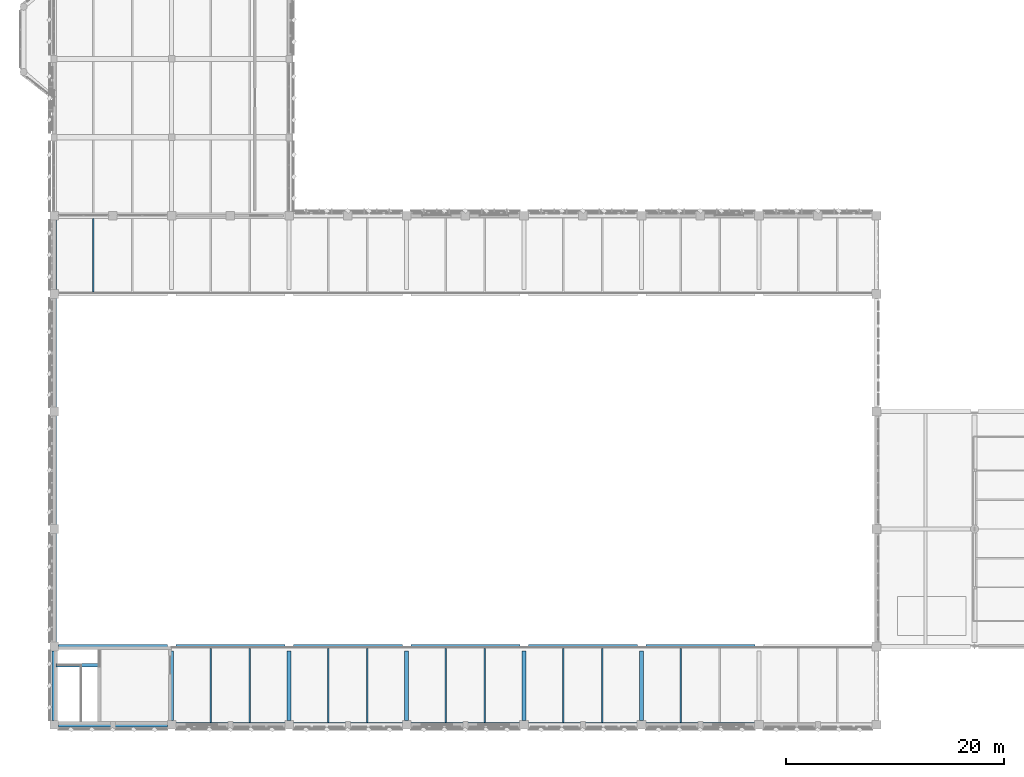
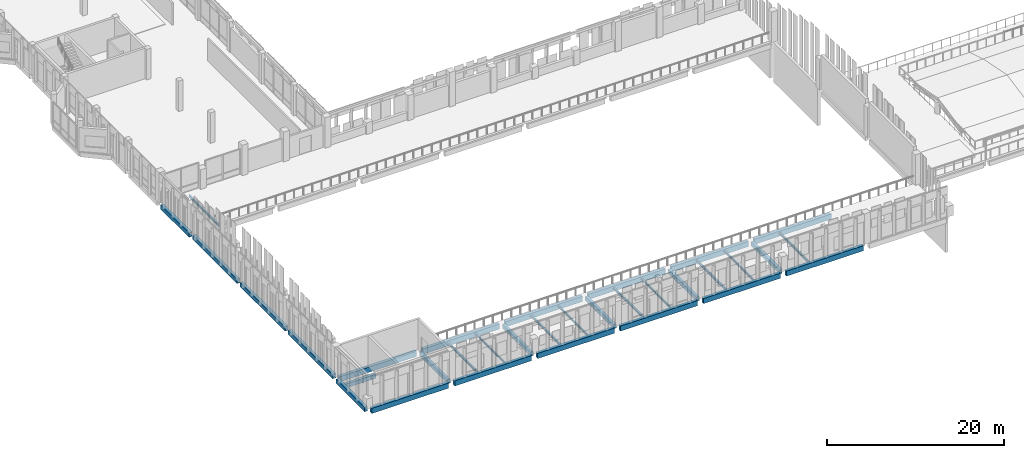
# One storey, part 6 of 158: 33 beams.
"""IFC4 building model written with IfcOpenShell, lengths in metres."""

from ifc_helpers import new_model, si_unit, direction, frame, origin, origin_2d, place, context, subcontext, project, spatial, rectangle, i_section, extrude, material, material_profile, profile_set, type_object, element, save


model = new_model("IFC4")

# Units and contexts
model_context = context("Model", 3, precision=1e-05, world=origin(), true_north=direction((0.0, 1.0)))
body_context = subcontext(model_context, "Body", "Model", "MODEL_VIEW")
ifc_project = project(units=[si_unit("LENGTHUNIT", "METRE"), si_unit("AREAUNIT", "SQUARE_METRE"), si_unit("VOLUMEUNIT", "CUBIC_METRE"), si_unit("PLANEANGLEUNIT", "RADIAN"), si_unit("MASSUNIT", "GRAM", prefix="KILO")], contexts=[model_context])

# Site, building, storey
site_placement = place(None, origin())
site = spatial("IfcSite", under=ifc_project, at=site_placement, CompositionType="ELEMENT")
building_placement = place(site_placement, origin())
building = spatial("IfcBuilding", under=site, at=building_placement, Name="Lusvemor Sports Hall", CompositionType="ELEMENT")
storey_placement = place(building_placement, frame((0.0, 0.0, 10.800048828125)))
storey = spatial("IfcBuildingStorey", under=building, at=storey_placement, Name="L02", CompositionType="ELEMENT", Elevation=10.800048828125)

# Beams
ifc_material_1 = material(Name="Concrete C40/50", Category="concrete")
ifc_material_profile_1 = material_profile(ifc_material_1, rectangle(XDim=0.35009765625, YDim=0.550048828125, at=origin_2d()), Name="RC350x550")
ifc_profile_set_1 = profile_set([ifc_material_profile_1], Name="Concrete C40/50")
beam_type_1 = type_object("IfcBeamType", Name="BEAM_RC_550", PredefinedType="BEAM", material=ifc_profile_set_1)
for number, where, z_axis, x_axis, name in (
    (1, (10.800048828125, 0.39599609375, -0.53515625), (0.0, 1.0, 0.0), (-1.0, 0.0, 0.0), "Beam L02 2:A-B"),
    (2, (21.60009765625, 0.39599609375, -0.53515625), (0.0, 1.0, 0.0), (-1.0, 0.0, 0.0), "Beam L02 3:A-B"),
    (3, (32.39990234375, 0.39599609375, -0.53515625), (0.0, 1.0, 0.0), (-1.0, 0.0, 0.0), "Beam L02 4:A-B"),
    (4, (43.199951171875, 0.39599609375, -0.53515625), (0.0, 1.0, 0.0), (-1.0, 0.0, 0.0), "Beam L02 5:A-B"),
    (5, (54.0, 0.39599609375, -0.53515625), (0.0, 1.0, 0.0), (-1.0, 0.0, 0.0), "Beam L02 6:A-B"),
):
    element("IfcBeam", number, at=place(storey_placement, frame(where, z_axis=z_axis, x_axis=x_axis)), inside=storey, type_object=beam_type_1, Name=name, PredefinedType="BEAM", context=body_context, shape_type="SweptSolid", body=[
        extrude(rectangle(XDim=0.35009765625, YDim=0.550048828125, at=origin_2d()), origin(), (0.0, 0.0, 1.0), 6.407958984375),
    ])
beam_1_placement = place(storey_placement, frame((0.159912109375, 5.47998046875, -0.455078125), z_axis=(1.0, 0.0, 0.0), x_axis=(0.0, 1.0, 0.0)))
element("IfcBeam", 6, at=beam_1_placement, inside=storey, type_object=beam_type_1, Name="Stair STR-C6-L01 Top-Landing Beam", PredefinedType="BEAM", context=body_context, shape_type="SweptSolid", body=[
    extrude(rectangle(XDim=0.35009765625, YDim=0.550048828125, at=origin_2d()), origin(), (0.0, 0.0, 1.0), 3.97998046875),
])
ifc_material_2 = material(Name="Steel S355", Category="steel")
ifc_material_profile_2 = material_profile(ifc_material_2, i_section(OverallWidth=0.14794921875, OverallDepth=0.26611328125, WebThickness=0.007568359375, FlangeThickness=0.012939453125, FilletRadius=0.012939453125, at=origin_2d()), Name="W250x44.8")
ifc_profile_set_2 = profile_set([ifc_material_profile_2], Name="Steel S355")
beam_type_2 = type_object("IfcBeamType", Name="JOIST_ST_250M", PredefinedType="JOIST", material=ifc_profile_set_2)
for number, where, z_axis, x_axis, name in (
    (7, (18.0, 0.196044921875, -0.39697265625), (0.0, 1.0, 0.0), (-1.0, 0.0, 0.0), "Secondary Joist L02 2-3/A-B #2"),
    (8, (28.800048828125, 0.196044921875, -0.39697265625), (0.0, 1.0, 0.0), (-1.0, 0.0, 0.0), "Secondary Joist L02 3-4/A-B #2"),
    (9, (39.60009765625, 0.196044921875, -0.39697265625), (0.0, 1.0, 0.0), (-1.0, 0.0, 0.0), "Secondary Joist L02 4-5/A-B #2"),
    (10, (50.39990234375, 0.196044921875, -0.39697265625), (0.0, 1.0, 0.0), (-1.0, 0.0, 0.0), "Secondary Joist L02 5-6/A-B #2"),
):
    element("IfcBeam", number, at=place(storey_placement, frame(where, z_axis=z_axis, x_axis=x_axis)), inside=storey, type_object=beam_type_2, Name=name, PredefinedType="JOIST", context=body_context, shape_type="SweptSolid", body=[
        extrude(i_section(OverallWidth=0.14794921875, OverallDepth=0.26611328125, WebThickness=0.007568359375, FlangeThickness=0.012939453125, FilletRadius=0.012939453125, at=origin_2d()), origin(), (0.0, 0.0, 1.0), 6.807861328125),
    ])
ifc_material_3 = material(Name="Steel S355", Category="steel")
ifc_material_profile_3 = material_profile(ifc_material_3, i_section(OverallWidth=0.1669921875, OverallDepth=0.31689453125, WebThickness=0.007568359375, FlangeThickness=0.01318359375, FilletRadius=0.014892578125, at=origin_2d()), Name="W310x52.0")
ifc_profile_set_3 = profile_set([ifc_material_profile_3], Name="Steel S355")
beam_type_3 = type_object("IfcBeamType", Name="JOIST_ST_310M", PredefinedType="JOIST", material=ifc_profile_set_3)
beam_2_placement = place(storey_placement, frame((3.60009765625, 39.7958984375, -0.422607421875), z_axis=(0.0, 1.0, 0.0), x_axis=(-1.0, 0.0, 0.0)))
element("IfcBeam", 11, at=beam_2_placement, inside=storey, type_object=beam_type_3, Name="Secondary Joist L02 1-2/E-F #1", PredefinedType="JOIST", context=body_context, shape_type="SweptSolid", body=[
    extrude(i_section(OverallWidth=0.1669921875, OverallDepth=0.31689453125, WebThickness=0.007568359375, FlangeThickness=0.01318359375, FilletRadius=0.014892578125, at=origin_2d()), origin(), (0.0, 0.0, 1.0), 6.758056640625),
])
for number, where, z_axis, x_axis, name in (
    (12, (14.39990234375, 0.196044921875, -0.422607421875), (0.0, 1.0, 0.0), (-1.0, 0.0, 0.0), "Secondary Joist L02 2-3/A-B #1"),
    (13, (25.199951171875, 0.196044921875, -0.422607421875), (0.0, 1.0, 0.0), (-1.0, 0.0, 0.0), "Secondary Joist L02 3-4/A-B #1"),
    (14, (36.0, 0.196044921875, -0.422607421875), (0.0, 1.0, 0.0), (-1.0, 0.0, 0.0), "Secondary Joist L02 4-5/A-B #1"),
    (15, (46.800048828125, 0.196044921875, -0.422607421875), (0.0, 1.0, 0.0), (-1.0, 0.0, 0.0), "Secondary Joist L02 5-6/A-B #1"),
    (16, (57.60009765625, 0.196044921875, -0.422607421875), (0.0, 1.0, 0.0), (-1.0, 0.0, 0.0), "Secondary Joist L02 6-7/A-B #1"),
):
    element("IfcBeam", number, at=place(storey_placement, frame(where, z_axis=z_axis, x_axis=x_axis)), inside=storey, type_object=beam_type_3, Name=name, PredefinedType="JOIST", context=body_context, shape_type="SweptSolid", body=[
        extrude(i_section(OverallWidth=0.1669921875, OverallDepth=0.31689453125, WebThickness=0.007568359375, FlangeThickness=0.01318359375, FilletRadius=0.014892578125, at=origin_2d()), origin(), (0.0, 0.0, 1.0), 6.807861328125),
    ])
ifc_material_4 = material(Name="Concrete C40/50", Category="concrete")
ifc_material_profile_4 = material_profile(ifc_material_4, rectangle(XDim=0.39990234375, YDim=0.610107421875, at=origin_2d()), Name="RC400x610")
ifc_profile_set_4 = profile_set([ifc_material_profile_4], Name="Concrete C40/50")
beam_type_4 = type_object("IfcBeamType", Name="SPAND_EXT_650", PredefinedType="SPANDREL", material=ifc_profile_set_4)
for number, where, z_axis, x_axis, name in (
    (17, (0.0, 0.39599609375, -0.56494140625), (0.0, 1.0, 0.0), (-1.0, 0.0, 0.0), "Beam L02 1:A-B"),
    (18, (0.0, 39.99609375, -0.56494140625), (0.0, 1.0, 0.0), (-1.0, 0.0, 0.0), "Beam L02 1:E-F"),
):
    element("IfcBeam", number, at=place(storey_placement, frame(where, z_axis=z_axis, x_axis=x_axis)), inside=storey, type_object=beam_type_4, Name=name, PredefinedType="SPANDREL", context=body_context, shape_type="SweptSolid", body=[
        extrude(rectangle(XDim=0.39990234375, YDim=0.610107421875, at=origin_2d()), origin(), (0.0, 0.0, 1.0), 6.407958984375),
    ])
for number, where, z_axis, x_axis, name in (
    (19, (0.0, 7.550048828125, -0.364990234375), (0.0, 1.0, 0.0), (-1.0, 0.0, 0.0), "West Wave Gable Support Girt L02-2"),
    (20, (0.0, 18.35009765625, -0.364990234375), (0.0, 1.0, 0.0), (-1.0, 0.0, 0.0), "West Wave Gable Support Girt L02-3"),
):
    element("IfcBeam", number, at=place(storey_placement, frame(where, z_axis=z_axis, x_axis=x_axis)), inside=storey, type_object=beam_type_4, Name=name, PredefinedType="SPANDREL", context=body_context, shape_type="SweptSolid", body=[
        extrude(rectangle(XDim=0.39990234375, YDim=0.610107421875, at=origin_2d()), origin(), (0.0, 0.0, 1.0), 10.099853515625),
    ])
beam_3_placement = place(storey_placement, frame((0.0, 29.14990234375, -0.364990234375), z_axis=(0.0, 1.0, 0.0), x_axis=(-1.0, 0.0, 0.0)))
element("IfcBeam", 21, at=beam_3_placement, inside=storey, type_object=beam_type_4, Name="West Wave Gable Support Girt L02-4", PredefinedType="SPANDREL", context=body_context, shape_type="SweptSolid", body=[
    extrude(rectangle(XDim=0.39990234375, YDim=0.610107421875, at=origin_2d()), origin(), (0.0, 0.0, 1.0), 10.10009765625),
])
ifc_material_5 = material(Name="Concrete C40/50", Category="concrete")
ifc_material_profile_5 = material_profile(ifc_material_5, rectangle(XDim=0.39990234375, YDim=0.699951171875, at=origin_2d()), Name="RC400x700")
ifc_profile_set_5 = profile_set([ifc_material_profile_5], Name="Concrete C40/50")
beam_type_5 = type_object("IfcBeamType", Name="SPAND_EXT_700", PredefinedType="SPANDREL", material=ifc_profile_set_5)
for number, where, z_axis, x_axis, name in (
    (22, (0.39599609375, 0.0, -0.610107421875), (1.0, 0.0, 0.0), (0.0, 1.0, 0.0), "Beam L02 A:1-2"),
    (23, (11.196044921875, 0.0, -0.610107421875), (1.0, 0.0, 0.0), (0.0, 1.0, 0.0), "Beam L02 A:2-3"),
):
    element("IfcBeam", number, at=place(storey_placement, frame(where, z_axis=z_axis, x_axis=x_axis)), inside=storey, type_object=beam_type_5, Name=name, PredefinedType="SPANDREL", context=body_context, shape_type="SweptSolid", body=[
        extrude(rectangle(XDim=0.39990234375, YDim=0.699951171875, at=origin_2d()), origin(), (0.0, 0.0, 1.0), 10.008056640625),
    ])
beam_4_placement = place(storey_placement, frame((21.99609375, 0.0, -0.610107421875), z_axis=(1.0, 0.0, 0.0), x_axis=(0.0, 1.0, 0.0)))
element("IfcBeam", 24, at=beam_4_placement, inside=storey, type_object=beam_type_5, Name="Beam L02 A:3-4", PredefinedType="SPANDREL", context=body_context, shape_type="SweptSolid", body=[
    extrude(rectangle(XDim=0.39990234375, YDim=0.699951171875, at=origin_2d()), origin(), (0.0, 0.0, 1.0), 10.0078125),
])
for number, where, z_axis, x_axis, name in (
    (25, (32.7958984375, 0.0, -0.610107421875), (1.0, 0.0, 0.0), (0.0, 1.0, 0.0), "Beam L02 A:4-5"),
    (26, (43.595947265625, 0.0, -0.610107421875), (1.0, 0.0, 0.0), (0.0, 1.0, 0.0), "Beam L02 A:5-6"),
    (27, (54.39599609375, 0.0, -0.610107421875), (1.0, 0.0, 0.0), (0.0, 1.0, 0.0), "Beam L02 A:6-7"),
    (28, (0.39599609375, 7.199951171875, -0.610107421875), (1.0, 0.0, 0.0), (0.0, 1.0, 0.0), "Beam L02 B:1-2"),
    (29, (11.196044921875, 7.199951171875, -0.610107421875), (1.0, 0.0, 0.0), (0.0, 1.0, 0.0), "Beam L02 B:2-3"),
):
    element("IfcBeam", number, at=place(storey_placement, frame(where, z_axis=z_axis, x_axis=x_axis)), inside=storey, type_object=beam_type_5, Name=name, PredefinedType="SPANDREL", context=body_context, shape_type="SweptSolid", body=[
        extrude(rectangle(XDim=0.39990234375, YDim=0.699951171875, at=origin_2d()), origin(), (0.0, 0.0, 1.0), 10.008056640625),
    ])
beam_5_placement = place(storey_placement, frame((21.99609375, 7.199951171875, -0.610107421875), z_axis=(1.0, 0.0, 0.0), x_axis=(0.0, 1.0, 0.0)))
element("IfcBeam", 30, at=beam_5_placement, inside=storey, type_object=beam_type_5, Name="Beam L02 B:3-4", PredefinedType="SPANDREL", context=body_context, shape_type="SweptSolid", body=[
    extrude(rectangle(XDim=0.39990234375, YDim=0.699951171875, at=origin_2d()), origin(), (0.0, 0.0, 1.0), 10.0078125),
])
for number, where, z_axis, x_axis, name in (
    (31, (32.7958984375, 7.199951171875, -0.610107421875), (1.0, 0.0, 0.0), (0.0, 1.0, 0.0), "Beam L02 B:4-5"),
    (32, (43.595947265625, 7.199951171875, -0.610107421875), (1.0, 0.0, 0.0), (0.0, 1.0, 0.0), "Beam L02 B:5-6"),
    (33, (54.39599609375, 7.199951171875, -0.610107421875), (1.0, 0.0, 0.0), (0.0, 1.0, 0.0), "Beam L02 B:6-7"),
):
    element("IfcBeam", number, at=place(storey_placement, frame(where, z_axis=z_axis, x_axis=x_axis)), inside=storey, type_object=beam_type_5, Name=name, PredefinedType="SPANDREL", context=body_context, shape_type="SweptSolid", body=[
        extrude(rectangle(XDim=0.39990234375, YDim=0.699951171875, at=origin_2d()), origin(), (0.0, 0.0, 1.0), 10.008056640625),
    ])

save(model, "model.ifc")
